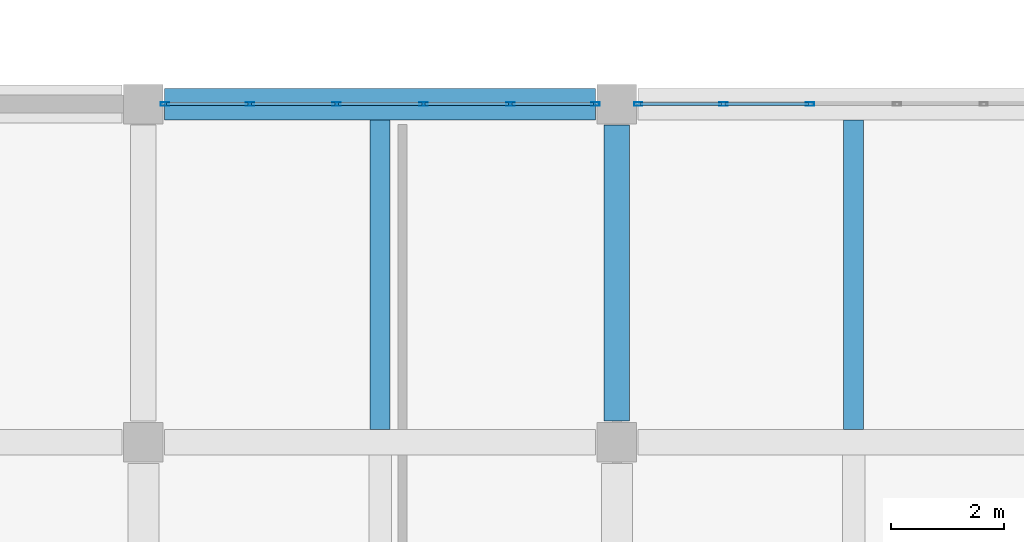
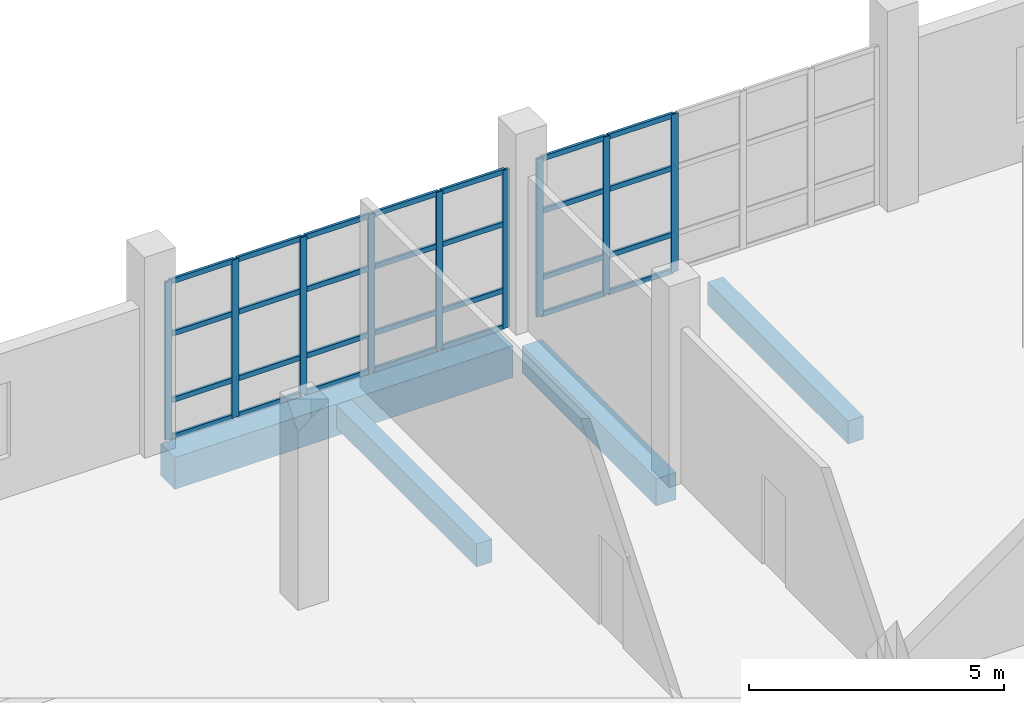
# One storey, part 61 of 91: 37 members, 4 beams, 2 elements without a shape of their own.
"""IFC4 building model written with IfcOpenShell, lengths in metres."""

from ifc_helpers import new_model, si_unit, direction, frame, origin, origin_2d, place, context, subcontext, project, spatial, rectangle, hollow_rectangle, extrude, material, material_profile, profile_set, type_object, element, aggregate, save


model = new_model("IFC4")

# Units and contexts
model_context = context("Model", 3, precision=1e-05, world=origin(), true_north=direction((0.0, 1.0)))
body_context = subcontext(model_context, "Body", "Model", "MODEL_VIEW")
ifc_project = project(units=[si_unit("LENGTHUNIT", "METRE"), si_unit("AREAUNIT", "SQUARE_METRE"), si_unit("VOLUMEUNIT", "CUBIC_METRE"), si_unit("PLANEANGLEUNIT", "RADIAN"), si_unit("MASSUNIT", "GRAM", prefix="KILO")], contexts=[model_context])

# Site, building, storey
site_placement = place(None, origin())
site = spatial("IfcSite", under=ifc_project, at=site_placement, CompositionType="ELEMENT")
building_placement = place(site_placement, origin())
building = spatial("IfcBuilding", under=site, at=building_placement, Name="Pellamere Symphony Hall", CompositionType="ELEMENT")
storey_placement = place(building_placement, frame((0.0, 0.0, 5.39990234375)))
storey = spatial("IfcBuildingStorey", under=building, at=storey_placement, Name="L01", CompositionType="ELEMENT", Elevation=5.39990234375)

# Curtain wall, members
ifc_material_1 = material(Name="Thermally Broken Anodised Aluminium 6063-T6 Curtain Wall", Category="aluminium")
curtain_wall_type = type_object("IfcCurtainWallType", Name="Curtain Wall CW-05 (Artists Wing North Studio Ribbon Curtain Wall)", PredefinedType="NOTDEFINED", material=ifc_material_1)
curtain_wall_1_placement = place(storey_placement, origin())
curtain_wall_1 = element("IfcCurtainWall", 1, at=curtain_wall_1_placement, inside=storey, type_object=curtain_wall_type, Name="Artists Wing North Studio Curtain Wall (L01 Bay 1)", PredefinedType="NOTDEFINED")
ifc_material_2 = material(Name="Anodised Architectural Aluminium 6063-T6", Category="aluminium")
ifc_material_profile_1 = material_profile(ifc_material_2, hollow_rectangle(XDim=0.06005859375, YDim=0.14990234375, WallThickness=0.00390625, at=origin_2d()), Name="ALU-M60X150X4")
ifc_profile_set_1 = profile_set([ifc_material_profile_1], Name="Anodised Architectural Aluminium 6063-T6")
member_type_1 = type_object("IfcMemberType", Name="Curtain Wall Mullion ML-03 ALU-M60X150X4", PredefinedType="MULLION", material=ifc_profile_set_1)
member_1_placement = place(storey_placement, frame((147.97998046875, 99.60009765625, 0.0), z_axis=(0.0, 0.0, 1.0), x_axis=(0.0, 1.0, 0.0)))
member_1 = element("IfcMember", 2, at=member_1_placement, type_object=member_type_1, Name="CW5-130 crystal mullion 1", PredefinedType="MULLION", context=body_context, shape_type="SweptSolid", body=[
    extrude(hollow_rectangle(XDim=0.06005859375, YDim=0.14990234375, WallThickness=0.00390625, at=origin_2d()), origin(), (0.0, 0.0, 1.0), 3.780029296875),
])
member_2_placement = place(storey_placement, frame((149.489990234375, 99.60009765625, 0.0), z_axis=(0.0, 0.0, 1.0), x_axis=(0.0, 1.0, 0.0)))
member_2 = element("IfcMember", 3, at=member_2_placement, type_object=member_type_1, Name="CW5-130 crystal mullion 2", PredefinedType="MULLION", context=body_context, shape_type="SweptSolid", body=[
    extrude(hollow_rectangle(XDim=0.06005859375, YDim=0.14990234375, WallThickness=0.00390625, at=origin_2d()), origin(), (0.0, 0.0, 1.0), 3.780029296875),
])
member_3_placement = place(storey_placement, frame((151.030029296875, 99.60009765625, 0.0), z_axis=(0.0, 0.0, 1.0), x_axis=(0.0, 1.0, 0.0)))
member_3 = element("IfcMember", 4, at=member_3_placement, type_object=member_type_1, Name="CW5-130 crystal mullion 3", PredefinedType="MULLION", context=body_context, shape_type="SweptSolid", body=[
    extrude(hollow_rectangle(XDim=0.06005859375, YDim=0.14990234375, WallThickness=0.00390625, at=origin_2d()), origin(), (0.0, 0.0, 1.0), 3.780029296875),
])
member_4_placement = place(storey_placement, frame((152.570068359375, 99.60009765625, 0.0), z_axis=(0.0, 0.0, 1.0), x_axis=(0.0, 1.0, 0.0)))
member_4 = element("IfcMember", 5, at=member_4_placement, type_object=member_type_1, Name="CW5-130 crystal mullion 4", PredefinedType="MULLION", context=body_context, shape_type="SweptSolid", body=[
    extrude(hollow_rectangle(XDim=0.06005859375, YDim=0.14990234375, WallThickness=0.00390625, at=origin_2d()), origin(), (0.0, 0.0, 1.0), 3.780029296875),
])
member_5_placement = place(storey_placement, frame((154.110107421875, 99.60009765625, 0.0), z_axis=(0.0, 0.0, 1.0), x_axis=(0.0, 1.0, 0.0)))
member_5 = element("IfcMember", 6, at=member_5_placement, type_object=member_type_1, Name="CW5-130 crystal mullion 5", PredefinedType="MULLION", context=body_context, shape_type="SweptSolid", body=[
    extrude(hollow_rectangle(XDim=0.06005859375, YDim=0.14990234375, WallThickness=0.00390625, at=origin_2d()), origin(), (0.0, 0.0, 1.0), 3.780029296875),
])
member_6_placement = place(storey_placement, frame((155.6201171875, 99.60009765625, 0.0), z_axis=(0.0, 0.0, 1.0), x_axis=(0.0, 1.0, 0.0)))
member_6 = element("IfcMember", 7, at=member_6_placement, type_object=member_type_1, Name="CW5-130 crystal mullion 6", PredefinedType="MULLION", context=body_context, shape_type="SweptSolid", body=[
    extrude(hollow_rectangle(XDim=0.06005859375, YDim=0.14990234375, WallThickness=0.00390625, at=origin_2d()), origin(), (0.0, 0.0, 1.0), 3.780029296875),
])

curtain_wall_2_placement = place(storey_placement, origin())
curtain_wall_2 = element("IfcCurtainWall", 8, at=curtain_wall_2_placement, inside=storey, type_object=curtain_wall_type, Name="Artists Wing North Studio Curtain Wall (L01 Bay 2)", PredefinedType="NOTDEFINED")
member_7_placement = place(storey_placement, frame((156.3798828125, 99.60009765625, 0.0), z_axis=(0.0, 0.0, 1.0), x_axis=(0.0, 1.0, 0.0)))
member_7 = element("IfcMember", 9, at=member_7_placement, type_object=member_type_1, Name="CW5-131 crystal mullion 1", PredefinedType="MULLION", context=body_context, shape_type="SweptSolid", body=[
    extrude(hollow_rectangle(XDim=0.06005859375, YDim=0.14990234375, WallThickness=0.00390625, at=origin_2d()), origin(), (0.0, 0.0, 1.0), 3.780029296875),
])
member_8_placement = place(storey_placement, frame((157.889892578125, 99.60009765625, 0.0), z_axis=(0.0, 0.0, 1.0), x_axis=(0.0, 1.0, 0.0)))
member_8 = element("IfcMember", 10, at=member_8_placement, type_object=member_type_1, Name="CW5-131 crystal mullion 2", PredefinedType="MULLION", context=body_context, shape_type="SweptSolid", body=[
    extrude(hollow_rectangle(XDim=0.06005859375, YDim=0.14990234375, WallThickness=0.00390625, at=origin_2d()), origin(), (0.0, 0.0, 1.0), 3.780029296875),
])
member_9_placement = place(storey_placement, frame((159.429931640625, 99.60009765625, 0.0), z_axis=(0.0, 0.0, 1.0), x_axis=(0.0, 1.0, 0.0)))
member_9 = element("IfcMember", 11, at=member_9_placement, type_object=member_type_1, Name="CW5-131 crystal mullion 3", PredefinedType="MULLION", context=body_context, shape_type="SweptSolid", body=[
    extrude(hollow_rectangle(XDim=0.06005859375, YDim=0.14990234375, WallThickness=0.00390625, at=origin_2d()), origin(), (0.0, 0.0, 1.0), 3.780029296875),
])

# Member
ifc_material_profile_2 = material_profile(ifc_material_2, hollow_rectangle(XDim=0.06005859375, YDim=0.1201171875, WallThickness=0.00390625, at=origin_2d()), Name="ALU-T60X120X4")
ifc_profile_set_2 = profile_set([ifc_material_profile_2], Name="Anodised Architectural Aluminium 6063-T6")
member_type_2 = type_object("IfcMemberType", Name="Curtain Wall Transom TR-03 ALU-T60X120X4", PredefinedType="USERDEFINED", material=ifc_profile_set_2)
member_10_placement = place(storey_placement, frame((148.010009765625, 99.60009765625, 0.030029296875), z_axis=(1.0, 0.0, 0.0), x_axis=(0.0, 1.0, 0.0)))
member_10 = element("IfcMember", 12, at=member_10_placement, type_object=member_type_2, Name="CW5-130 crystal transom 1.1", ObjectType="TRANSOM", PredefinedType="USERDEFINED", context=body_context, shape_type="SweptSolid", body=[
    extrude(hollow_rectangle(XDim=0.06005859375, YDim=0.1201171875, WallThickness=0.00390625, at=origin_2d()), origin(), (0.0, 0.0, 1.0), 1.449951171875),
])

member_11_placement = place(storey_placement, frame((148.010009765625, 99.60009765625, 0.9072265625), z_axis=(1.0, 0.0, 0.0), x_axis=(0.0, 1.0, 0.0)))
member_11 = element("IfcMember", 13, at=member_11_placement, type_object=member_type_2, Name="CW5-130 crystal transom 1.2", ObjectType="TRANSOM", PredefinedType="USERDEFINED", context=body_context, shape_type="SweptSolid", body=[
    extrude(hollow_rectangle(XDim=0.06005859375, YDim=0.1201171875, WallThickness=0.00390625, at=origin_2d()), origin(), (0.0, 0.0, 1.0), 1.449951171875),
])

member_12_placement = place(storey_placement, frame((148.010009765625, 99.60009765625, 2.494873046875), z_axis=(1.0, 0.0, 0.0), x_axis=(0.0, 1.0, 0.0)))
member_12 = element("IfcMember", 14, at=member_12_placement, type_object=member_type_2, Name="CW5-130 crystal transom 1.3", ObjectType="TRANSOM", PredefinedType="USERDEFINED", context=body_context, shape_type="SweptSolid", body=[
    extrude(hollow_rectangle(XDim=0.06005859375, YDim=0.1201171875, WallThickness=0.00390625, at=origin_2d()), origin(), (0.0, 0.0, 1.0), 1.449951171875),
])

member_13_placement = place(storey_placement, frame((148.010009765625, 99.60009765625, 3.75), z_axis=(1.0, 0.0, 0.0), x_axis=(0.0, 1.0, 0.0)))
member_13 = element("IfcMember", 15, at=member_13_placement, type_object=member_type_2, Name="CW5-130 crystal transom 1.4", ObjectType="TRANSOM", PredefinedType="USERDEFINED", context=body_context, shape_type="SweptSolid", body=[
    extrude(hollow_rectangle(XDim=0.06005859375, YDim=0.1201171875, WallThickness=0.00390625, at=origin_2d()), origin(), (0.0, 0.0, 1.0), 1.449951171875),
])

member_14_placement = place(storey_placement, frame((149.52001953125, 99.60009765625, 0.030029296875), z_axis=(1.0, 0.0, 0.0), x_axis=(0.0, 1.0, 0.0)))
member_14 = element("IfcMember", 16, at=member_14_placement, type_object=member_type_2, Name="CW5-130 crystal transom 2.1", ObjectType="TRANSOM", PredefinedType="USERDEFINED", context=body_context, shape_type="SweptSolid", body=[
    extrude(hollow_rectangle(XDim=0.06005859375, YDim=0.1201171875, WallThickness=0.00390625, at=origin_2d()), origin(), (0.0, 0.0, 1.0), 1.47998046875),
])

member_15_placement = place(storey_placement, frame((149.52001953125, 99.60009765625, 0.9072265625), z_axis=(1.0, 0.0, 0.0), x_axis=(0.0, 1.0, 0.0)))
member_15 = element("IfcMember", 17, at=member_15_placement, type_object=member_type_2, Name="CW5-130 crystal transom 2.2", ObjectType="TRANSOM", PredefinedType="USERDEFINED", context=body_context, shape_type="SweptSolid", body=[
    extrude(hollow_rectangle(XDim=0.06005859375, YDim=0.1201171875, WallThickness=0.00390625, at=origin_2d()), origin(), (0.0, 0.0, 1.0), 1.47998046875),
])

member_16_placement = place(storey_placement, frame((149.52001953125, 99.60009765625, 2.494873046875), z_axis=(1.0, 0.0, 0.0), x_axis=(0.0, 1.0, 0.0)))
member_16 = element("IfcMember", 18, at=member_16_placement, type_object=member_type_2, Name="CW5-130 crystal transom 2.3", ObjectType="TRANSOM", PredefinedType="USERDEFINED", context=body_context, shape_type="SweptSolid", body=[
    extrude(hollow_rectangle(XDim=0.06005859375, YDim=0.1201171875, WallThickness=0.00390625, at=origin_2d()), origin(), (0.0, 0.0, 1.0), 1.47998046875),
])

member_17_placement = place(storey_placement, frame((149.52001953125, 99.60009765625, 3.75), z_axis=(1.0, 0.0, 0.0), x_axis=(0.0, 1.0, 0.0)))
member_17 = element("IfcMember", 19, at=member_17_placement, type_object=member_type_2, Name="CW5-130 crystal transom 2.4", ObjectType="TRANSOM", PredefinedType="USERDEFINED", context=body_context, shape_type="SweptSolid", body=[
    extrude(hollow_rectangle(XDim=0.06005859375, YDim=0.1201171875, WallThickness=0.00390625, at=origin_2d()), origin(), (0.0, 0.0, 1.0), 1.47998046875),
])

member_18_placement = place(storey_placement, frame((151.06005859375, 99.60009765625, 0.030029296875), z_axis=(1.0, 0.0, 0.0), x_axis=(0.0, 1.0, 0.0)))
member_18 = element("IfcMember", 20, at=member_18_placement, type_object=member_type_2, Name="CW5-130 crystal transom 3.1", ObjectType="TRANSOM", PredefinedType="USERDEFINED", context=body_context, shape_type="SweptSolid", body=[
    extrude(hollow_rectangle(XDim=0.06005859375, YDim=0.1201171875, WallThickness=0.00390625, at=origin_2d()), origin(), (0.0, 0.0, 1.0), 1.47998046875),
])

member_19_placement = place(storey_placement, frame((151.06005859375, 99.60009765625, 0.9072265625), z_axis=(1.0, 0.0, 0.0), x_axis=(0.0, 1.0, 0.0)))
member_19 = element("IfcMember", 21, at=member_19_placement, type_object=member_type_2, Name="CW5-130 crystal transom 3.2", ObjectType="TRANSOM", PredefinedType="USERDEFINED", context=body_context, shape_type="SweptSolid", body=[
    extrude(hollow_rectangle(XDim=0.06005859375, YDim=0.1201171875, WallThickness=0.00390625, at=origin_2d()), origin(), (0.0, 0.0, 1.0), 1.47998046875),
])

member_20_placement = place(storey_placement, frame((151.06005859375, 99.60009765625, 2.494873046875), z_axis=(1.0, 0.0, 0.0), x_axis=(0.0, 1.0, 0.0)))
member_20 = element("IfcMember", 22, at=member_20_placement, type_object=member_type_2, Name="CW5-130 crystal transom 3.3", ObjectType="TRANSOM", PredefinedType="USERDEFINED", context=body_context, shape_type="SweptSolid", body=[
    extrude(hollow_rectangle(XDim=0.06005859375, YDim=0.1201171875, WallThickness=0.00390625, at=origin_2d()), origin(), (0.0, 0.0, 1.0), 1.47998046875),
])

member_21_placement = place(storey_placement, frame((151.06005859375, 99.60009765625, 3.75), z_axis=(1.0, 0.0, 0.0), x_axis=(0.0, 1.0, 0.0)))
member_21 = element("IfcMember", 23, at=member_21_placement, type_object=member_type_2, Name="CW5-130 crystal transom 3.4", ObjectType="TRANSOM", PredefinedType="USERDEFINED", context=body_context, shape_type="SweptSolid", body=[
    extrude(hollow_rectangle(XDim=0.06005859375, YDim=0.1201171875, WallThickness=0.00390625, at=origin_2d()), origin(), (0.0, 0.0, 1.0), 1.47998046875),
])

member_22_placement = place(storey_placement, frame((152.60009765625, 99.60009765625, 0.030029296875), z_axis=(1.0, 0.0, 0.0), x_axis=(0.0, 1.0, 0.0)))
member_22 = element("IfcMember", 24, at=member_22_placement, type_object=member_type_2, Name="CW5-130 crystal transom 4.1", ObjectType="TRANSOM", PredefinedType="USERDEFINED", context=body_context, shape_type="SweptSolid", body=[
    extrude(hollow_rectangle(XDim=0.06005859375, YDim=0.1201171875, WallThickness=0.00390625, at=origin_2d()), origin(), (0.0, 0.0, 1.0), 1.47998046875),
])

member_23_placement = place(storey_placement, frame((152.60009765625, 99.60009765625, 0.9072265625), z_axis=(1.0, 0.0, 0.0), x_axis=(0.0, 1.0, 0.0)))
member_23 = element("IfcMember", 25, at=member_23_placement, type_object=member_type_2, Name="CW5-130 crystal transom 4.2", ObjectType="TRANSOM", PredefinedType="USERDEFINED", context=body_context, shape_type="SweptSolid", body=[
    extrude(hollow_rectangle(XDim=0.06005859375, YDim=0.1201171875, WallThickness=0.00390625, at=origin_2d()), origin(), (0.0, 0.0, 1.0), 1.47998046875),
])

member_24_placement = place(storey_placement, frame((152.60009765625, 99.60009765625, 2.494873046875), z_axis=(1.0, 0.0, 0.0), x_axis=(0.0, 1.0, 0.0)))
member_24 = element("IfcMember", 26, at=member_24_placement, type_object=member_type_2, Name="CW5-130 crystal transom 4.3", ObjectType="TRANSOM", PredefinedType="USERDEFINED", context=body_context, shape_type="SweptSolid", body=[
    extrude(hollow_rectangle(XDim=0.06005859375, YDim=0.1201171875, WallThickness=0.00390625, at=origin_2d()), origin(), (0.0, 0.0, 1.0), 1.47998046875),
])

member_25_placement = place(storey_placement, frame((152.60009765625, 99.60009765625, 3.75), z_axis=(1.0, 0.0, 0.0), x_axis=(0.0, 1.0, 0.0)))
member_25 = element("IfcMember", 27, at=member_25_placement, type_object=member_type_2, Name="CW5-130 crystal transom 4.4", ObjectType="TRANSOM", PredefinedType="USERDEFINED", context=body_context, shape_type="SweptSolid", body=[
    extrude(hollow_rectangle(XDim=0.06005859375, YDim=0.1201171875, WallThickness=0.00390625, at=origin_2d()), origin(), (0.0, 0.0, 1.0), 1.47998046875),
])

member_26_placement = place(storey_placement, frame((154.139892578125, 99.60009765625, 0.030029296875), z_axis=(1.0, 0.0, 0.0), x_axis=(0.0, 1.0, 0.0)))
member_26 = element("IfcMember", 28, at=member_26_placement, type_object=member_type_2, Name="CW5-130 crystal transom 5.1", ObjectType="TRANSOM", PredefinedType="USERDEFINED", context=body_context, shape_type="SweptSolid", body=[
    extrude(hollow_rectangle(XDim=0.06005859375, YDim=0.1201171875, WallThickness=0.00390625, at=origin_2d()), origin(), (0.0, 0.0, 1.0), 1.4501953125),
])

member_27_placement = place(storey_placement, frame((154.139892578125, 99.60009765625, 0.9072265625), z_axis=(1.0, 0.0, 0.0), x_axis=(0.0, 1.0, 0.0)))
member_27 = element("IfcMember", 29, at=member_27_placement, type_object=member_type_2, Name="CW5-130 crystal transom 5.2", ObjectType="TRANSOM", PredefinedType="USERDEFINED", context=body_context, shape_type="SweptSolid", body=[
    extrude(hollow_rectangle(XDim=0.06005859375, YDim=0.1201171875, WallThickness=0.00390625, at=origin_2d()), origin(), (0.0, 0.0, 1.0), 1.4501953125),
])

member_28_placement = place(storey_placement, frame((154.139892578125, 99.60009765625, 2.494873046875), z_axis=(1.0, 0.0, 0.0), x_axis=(0.0, 1.0, 0.0)))
member_28 = element("IfcMember", 30, at=member_28_placement, type_object=member_type_2, Name="CW5-130 crystal transom 5.3", ObjectType="TRANSOM", PredefinedType="USERDEFINED", context=body_context, shape_type="SweptSolid", body=[
    extrude(hollow_rectangle(XDim=0.06005859375, YDim=0.1201171875, WallThickness=0.00390625, at=origin_2d()), origin(), (0.0, 0.0, 1.0), 1.4501953125),
])

member_29_placement = place(storey_placement, frame((154.139892578125, 99.60009765625, 3.75), z_axis=(1.0, 0.0, 0.0), x_axis=(0.0, 1.0, 0.0)))
member_29 = element("IfcMember", 31, at=member_29_placement, type_object=member_type_2, Name="CW5-130 crystal transom 5.4", ObjectType="TRANSOM", PredefinedType="USERDEFINED", context=body_context, shape_type="SweptSolid", body=[
    extrude(hollow_rectangle(XDim=0.06005859375, YDim=0.1201171875, WallThickness=0.00390625, at=origin_2d()), origin(), (0.0, 0.0, 1.0), 1.4501953125),
])

aggregate(curtain_wall_1, [member_1, member_2, member_3, member_4, member_5, member_6, member_10, member_11, member_12, member_13, member_14, member_15, member_16, member_17, member_18, member_19, member_20, member_21, member_22, member_23, member_24, member_25, member_26, member_27, member_28, member_29])

member_30_placement = place(storey_placement, frame((156.409912109375, 99.60009765625, 0.030029296875), z_axis=(1.0, 0.0, 0.0), x_axis=(0.0, 1.0, 0.0)))
member_30 = element("IfcMember", 32, at=member_30_placement, type_object=member_type_2, Name="CW5-131 crystal transom 1.1", ObjectType="TRANSOM", PredefinedType="USERDEFINED", context=body_context, shape_type="SweptSolid", body=[
    extrude(hollow_rectangle(XDim=0.06005859375, YDim=0.1201171875, WallThickness=0.00390625, at=origin_2d()), origin(), (0.0, 0.0, 1.0), 1.4501953125),
])

member_31_placement = place(storey_placement, frame((156.409912109375, 99.60009765625, 0.9072265625), z_axis=(1.0, 0.0, 0.0), x_axis=(0.0, 1.0, 0.0)))
member_31 = element("IfcMember", 33, at=member_31_placement, type_object=member_type_2, Name="CW5-131 crystal transom 1.2", ObjectType="TRANSOM", PredefinedType="USERDEFINED", context=body_context, shape_type="SweptSolid", body=[
    extrude(hollow_rectangle(XDim=0.06005859375, YDim=0.1201171875, WallThickness=0.00390625, at=origin_2d()), origin(), (0.0, 0.0, 1.0), 1.4501953125),
])

member_32_placement = place(storey_placement, frame((156.409912109375, 99.60009765625, 2.494873046875), z_axis=(1.0, 0.0, 0.0), x_axis=(0.0, 1.0, 0.0)))
member_32 = element("IfcMember", 34, at=member_32_placement, type_object=member_type_2, Name="CW5-131 crystal transom 1.3", ObjectType="TRANSOM", PredefinedType="USERDEFINED", context=body_context, shape_type="SweptSolid", body=[
    extrude(hollow_rectangle(XDim=0.06005859375, YDim=0.1201171875, WallThickness=0.00390625, at=origin_2d()), origin(), (0.0, 0.0, 1.0), 1.4501953125),
])

member_33_placement = place(storey_placement, frame((156.409912109375, 99.60009765625, 3.75), z_axis=(1.0, 0.0, 0.0), x_axis=(0.0, 1.0, 0.0)))
member_33 = element("IfcMember", 35, at=member_33_placement, type_object=member_type_2, Name="CW5-131 crystal transom 1.4", ObjectType="TRANSOM", PredefinedType="USERDEFINED", context=body_context, shape_type="SweptSolid", body=[
    extrude(hollow_rectangle(XDim=0.06005859375, YDim=0.1201171875, WallThickness=0.00390625, at=origin_2d()), origin(), (0.0, 0.0, 1.0), 1.4501953125),
])

member_34_placement = place(storey_placement, frame((157.919921875, 99.60009765625, 0.030029296875), z_axis=(1.0, 0.0, 0.0), x_axis=(0.0, 1.0, 0.0)))
member_34 = element("IfcMember", 36, at=member_34_placement, type_object=member_type_2, Name="CW5-131 crystal transom 2.1", ObjectType="TRANSOM", PredefinedType="USERDEFINED", context=body_context, shape_type="SweptSolid", body=[
    extrude(hollow_rectangle(XDim=0.06005859375, YDim=0.1201171875, WallThickness=0.00390625, at=origin_2d()), origin(), (0.0, 0.0, 1.0), 1.47998046875),
])

member_35_placement = place(storey_placement, frame((157.919921875, 99.60009765625, 0.9072265625), z_axis=(1.0, 0.0, 0.0), x_axis=(0.0, 1.0, 0.0)))
member_35 = element("IfcMember", 37, at=member_35_placement, type_object=member_type_2, Name="CW5-131 crystal transom 2.2", ObjectType="TRANSOM", PredefinedType="USERDEFINED", context=body_context, shape_type="SweptSolid", body=[
    extrude(hollow_rectangle(XDim=0.06005859375, YDim=0.1201171875, WallThickness=0.00390625, at=origin_2d()), origin(), (0.0, 0.0, 1.0), 1.47998046875),
])

member_36_placement = place(storey_placement, frame((157.919921875, 99.60009765625, 2.494873046875), z_axis=(1.0, 0.0, 0.0), x_axis=(0.0, 1.0, 0.0)))
member_36 = element("IfcMember", 38, at=member_36_placement, type_object=member_type_2, Name="CW5-131 crystal transom 2.3", ObjectType="TRANSOM", PredefinedType="USERDEFINED", context=body_context, shape_type="SweptSolid", body=[
    extrude(hollow_rectangle(XDim=0.06005859375, YDim=0.1201171875, WallThickness=0.00390625, at=origin_2d()), origin(), (0.0, 0.0, 1.0), 1.47998046875),
])

member_37_placement = place(storey_placement, frame((157.919921875, 99.60009765625, 3.75), z_axis=(1.0, 0.0, 0.0), x_axis=(0.0, 1.0, 0.0)))
member_37 = element("IfcMember", 39, at=member_37_placement, type_object=member_type_2, Name="CW5-131 crystal transom 2.4", ObjectType="TRANSOM", PredefinedType="USERDEFINED", context=body_context, shape_type="SweptSolid", body=[
    extrude(hollow_rectangle(XDim=0.06005859375, YDim=0.1201171875, WallThickness=0.00390625, at=origin_2d()), origin(), (0.0, 0.0, 1.0), 1.47998046875),
])

aggregate(curtain_wall_2, [member_7, member_8, member_9, member_30, member_31, member_32, member_33, member_34, member_35, member_36, member_37])

# Beams
ifc_material_3 = material(Name="Concrete 40 MPa", Category="concrete")
ifc_material_profile_3 = material_profile(ifc_material_3, rectangle(XDim=0.449951171875, YDim=0.64990234375, at=origin_2d()), Name="RC 450x650")
ifc_profile_set_3 = profile_set([ifc_material_profile_3], Name="Concrete 40 MPa")
beam_type_1 = type_object("IfcBeamType", Name="RC CB-08 450x650", PredefinedType="BEAM", material=ifc_profile_set_3)
beam_1_placement = place(storey_placement, frame((156.0, 93.97509765625, -0.60498046875), z_axis=(0.0, 1.0, 0.0), x_axis=(-1.0, 0.0, 0.0)))
element("IfcBeam", 40, at=beam_1_placement, inside=storey, type_object=beam_type_1, Name="Girder CB-08-Y0872 (L01)", PredefinedType="BEAM", context=body_context, shape_type="SweptSolid", body=[
    extrude(rectangle(XDim=0.449951171875, YDim=0.64990234375, at=origin_2d()), origin(), (0.0, 0.0, 1.0), 5.25),
])
ifc_material_4 = material(Name="Concrete 35 MPa", Category="concrete")
ifc_material_profile_4 = material_profile(ifc_material_4, rectangle(XDim=0.35009765625, YDim=0.550048828125, at=origin_2d()), Name="RC 350x550")
ifc_profile_set_4 = profile_set([ifc_material_profile_4], Name="Concrete 35 MPa")
beam_type_2 = type_object("IfcBeamType", Name="RC CB-10 350x550", PredefinedType="BEAM", material=ifc_profile_set_4)
for number, where, z_axis, x_axis, name in (
    (41, (151.800048828125, 93.824951171875, -0.56982421875), (0.0, 1.0, 0.0), (-1.0, 0.0, 0.0), "Secondary Floor Beam CB-10-M1812 (L01)"),
    (42, (160.199951171875, 93.824951171875, -0.56982421875), (0.0, 1.0, 0.0), (-1.0, 0.0, 0.0), "Secondary Floor Beam CB-10-M1912 (L01)"),
):
    element("IfcBeam", number, at=place(storey_placement, frame(where, z_axis=z_axis, x_axis=x_axis)), inside=storey, type_object=beam_type_2, Name=name, PredefinedType="BEAM", context=body_context, shape_type="SweptSolid", body=[
        extrude(rectangle(XDim=0.35009765625, YDim=0.550048828125, at=origin_2d()), origin(), (0.0, 0.0, 1.0), 5.4951171875),
    ])
ifc_material_profile_5 = material_profile(ifc_material_3, rectangle(XDim=0.56005859375, YDim=0.760009765625, at=origin_2d()), Name="RC 560x760")
ifc_profile_set_5 = profile_set([ifc_material_profile_5], Name="Concrete 40 MPa")
beam_type_3 = type_object("IfcBeamType", Name="RC CB-18 560x760", PredefinedType="BEAM", material=ifc_profile_set_5)
beam_2_placement = place(storey_placement, frame((147.97509765625, 99.60009765625, -0.659912109375), z_axis=(1.0, 0.0, 0.0), x_axis=(0.0, 1.0, 0.0)))
element("IfcBeam", 43, at=beam_2_placement, inside=storey, type_object=beam_type_3, Name="Girder CB-18-X0702 (L01)", PredefinedType="BEAM", context=body_context, shape_type="SweptSolid", body=[
    extrude(rectangle(XDim=0.56005859375, YDim=0.760009765625, at=origin_2d()), origin(), (0.0, 0.0, 1.0), 7.64990234375),
])

save(model, "model.ifc")
